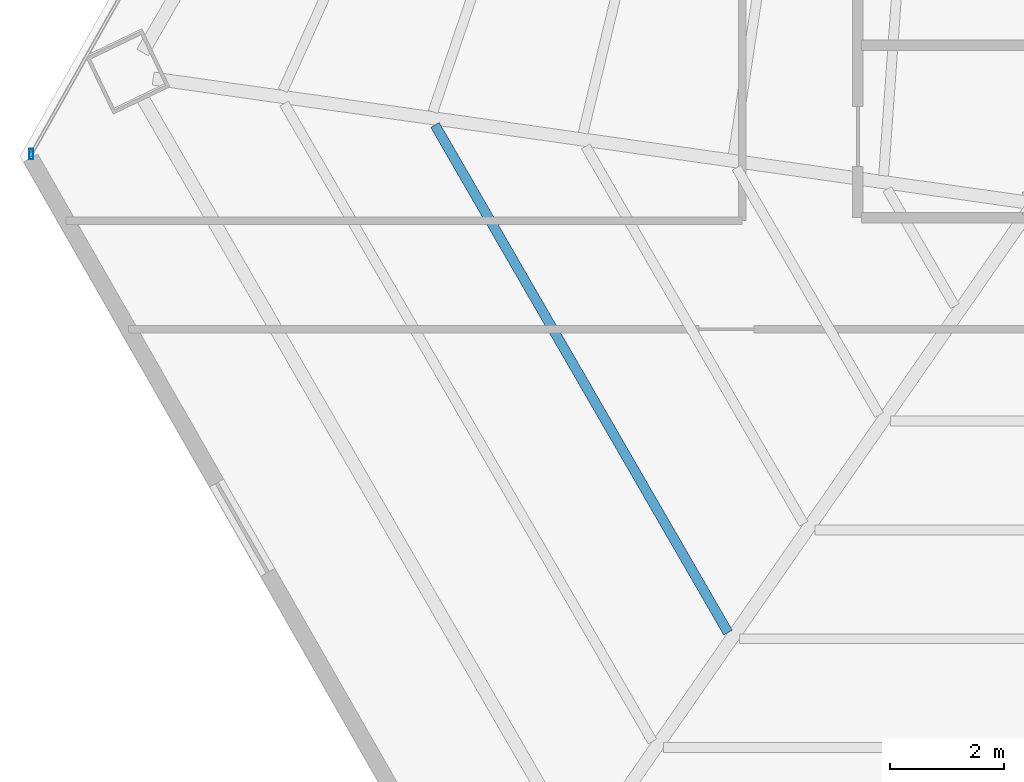
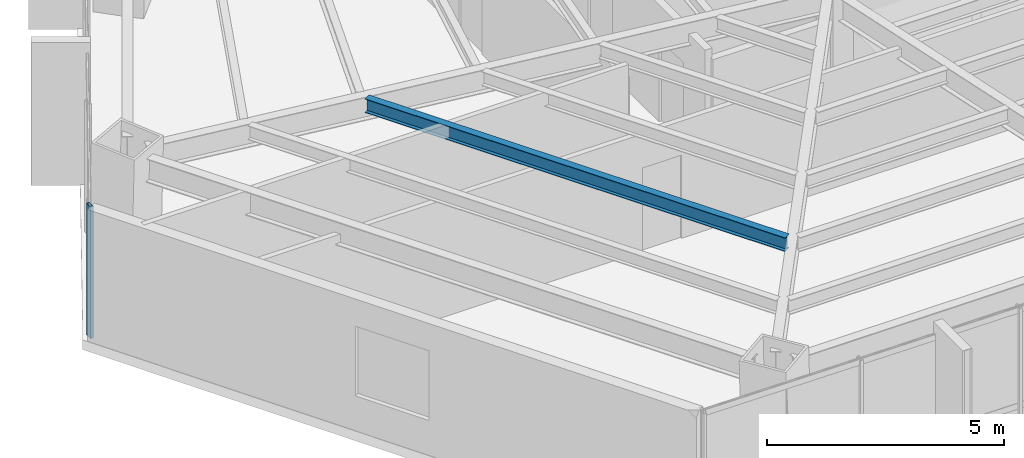
# One storey, part 6 of 36: 1 beam, 1 member, 1 element without a shape of its own.
"""IFC4 building model written with IfcOpenShell, lengths in metres."""

from ifc_helpers import new_model, si_unit, direction, frame, origin, origin_2d, place, context, subcontext, project, spatial, hollow_rectangle, i_section, extrude, source, transform, mapped, material, material_profile, profile_set, type_object, type_shapes, element, aggregate, save


model = new_model("IFC4")

# Units and contexts
model_context = context("Model", 3, precision=1e-05, world=origin(), true_north=direction((0.0, 1.0)))
body_context = subcontext(model_context, "Body", "Model", "MODEL_VIEW")
ifc_project = project(units=[si_unit("LENGTHUNIT", "METRE"), si_unit("AREAUNIT", "SQUARE_METRE"), si_unit("VOLUMEUNIT", "CUBIC_METRE"), si_unit("PLANEANGLEUNIT", "RADIAN"), si_unit("MASSUNIT", "GRAM", prefix="KILO")], contexts=[model_context])

# Site, building, storey
site_placement = place(None, origin())
site = spatial("IfcSite", under=ifc_project, at=site_placement, CompositionType="ELEMENT")
building_placement = place(site_placement, origin())
building = spatial("IfcBuilding", under=site, at=building_placement, Name="Caelisora Broadcast Tower", CompositionType="ELEMENT")
storey_placement = place(building_placement, frame((0.0, 0.0, 83.5)))
storey = spatial("IfcBuildingStorey", under=building, at=storey_placement, Name="L21", CompositionType="ELEMENT", Elevation=83.5)

# Beam
ifc_material_1 = material(Name="Steel Grade 350 (AS/NZS 3679.1)", Category="steel")
ifc_material_profile_1 = material_profile(ifc_material_1, i_section(OverallWidth=0.172119140625, OverallDepth=0.358642578125, WebThickness=0.008056640625, FlangeThickness=0.012939453125, at=origin_2d()), Name="Steel Grade 350 (AS/NZS 3679.1)")
ifc_profile_set_1 = profile_set([ifc_material_profile_1], Name="Steel Grade 350 (AS/NZS 3679.1)")
beam_type = type_object("IfcBeamType", Name="SB02", PredefinedType="JOIST", material=ifc_profile_set_1)
shared_shape_1 = source(origin(), body_context, "Body", "SweptSolid", [
    extrude(i_section(OverallWidth=0.172119140625, OverallDepth=0.358642578125, WebThickness=0.008056640625, FlangeThickness=0.012939453125, at=origin_2d()), origin(), (0.0, 0.0, 1.0), 10.25390625),
])
type_shapes(beam_type, [shared_shape_1])
beam_placement = place(storey_placement, frame((20.02197265625, 18.77294921875, 3.220703125), z_axis=(0.500000690336, -0.866025005218, 0.0), x_axis=(0.866025005218, 0.500000690336, 0.0)))
element("IfcBeam", 1, at=beam_placement, inside=storey, type_object=beam_type, Name="L21 beam SB02", PredefinedType="JOIST", context=body_context, shape_type="MappedRepresentation", body=[
    mapped(shared_shape_1, transform((0.0, 0.0, 0.0), scale=1.0)),
])

# Curtain wall, member
ifc_material_2 = material(Name="Unitised Aluminium and Low-E Glass Curtain Wall", Category="glass")
curtain_wall_type = type_object("IfcCurtainWallType", Name="CW-Z2", PredefinedType="NOTDEFINED", material=ifc_material_2)
curtain_wall_placement = place(storey_placement, origin())
curtain_wall = element("IfcCurtainWall", 2, at=curtain_wall_placement, inside=storey, type_object=curtain_wall_type, Name="L21 curtain wall CW-Z2", PredefinedType="NOTDEFINED")
ifc_material_3 = material(Name="Aluminium 6063-T6 Anodised Terracotta Bronze", Category="aluminium")
ifc_material_profile_2 = material_profile(ifc_material_3, hollow_rectangle(XDim=0.06494140625, YDim=0.179931640625, WallThickness=0.00341796875, at=origin_2d()), Name="Aluminium 6063-T6 Anodised Terracotta Bronze")
ifc_profile_set_2 = profile_set([ifc_material_profile_2], Name="Aluminium 6063-T6 Anodised Terracotta Bronze")
member_type = type_object("IfcMemberType", Name="CWM-02", PredefinedType="MULLION", material=ifc_profile_set_2)
shared_shape_2 = source(origin(), body_context, "Body", "SweptSolid", [
    extrude(hollow_rectangle(XDim=0.06494140625, YDim=0.179931640625, WallThickness=0.00341796875, at=origin_2d()), origin(), (0.0, 0.0, 1.0), 3.39990234375),
])
type_shapes(member_type, [shared_shape_2])
member_placement = place(storey_placement, frame((12.960693359375, 18.263427734375, 0.0), z_axis=(0.0, 0.0, 1.0), x_axis=(1.0, 0.0, 0.0)))
member = element("IfcMember", 3, at=member_placement, type_object=member_type, Name="L21-CW-B09 mullion #0", PredefinedType="MULLION", context=body_context, shape_type="MappedRepresentation", body=[
    mapped(shared_shape_2, transform((0.0, 0.0, 0.0), scale=1.0)),
])
aggregate(curtain_wall, [member])

save(model, "model.ifc")
